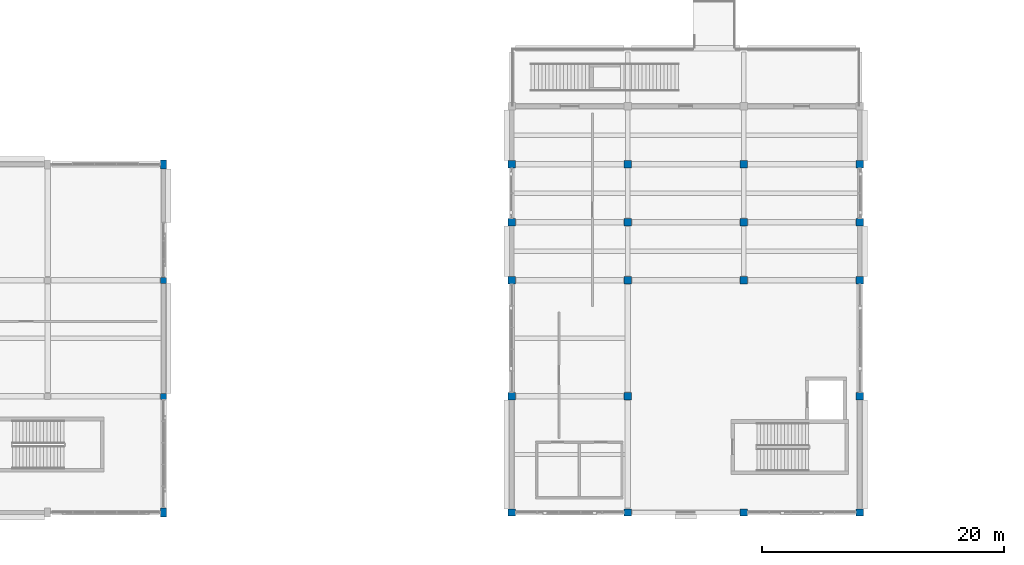
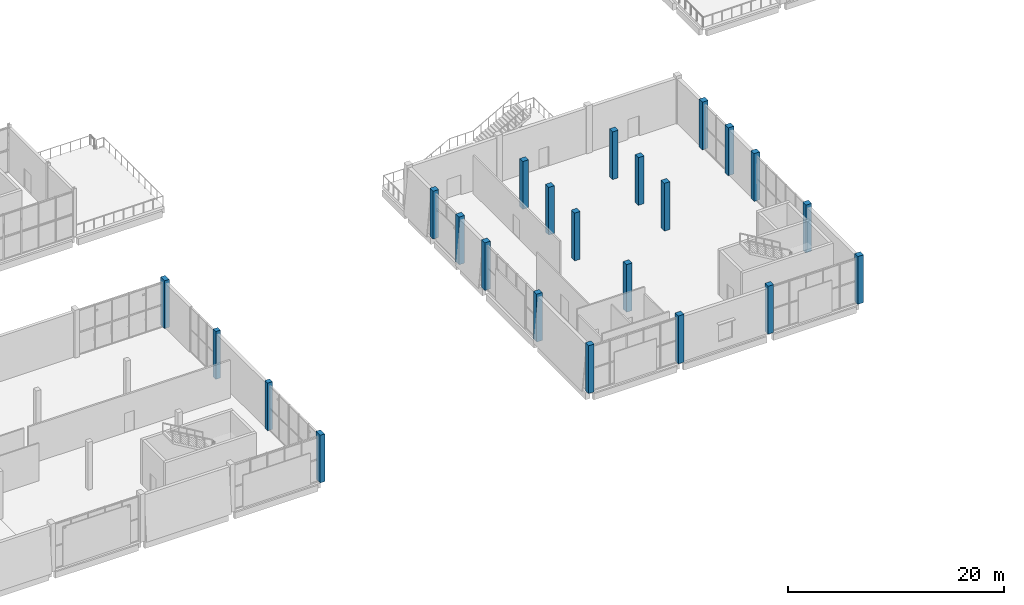
# One storey, part 3 of 83: 23 columns.
"""IFC4 building model written with IfcOpenShell, lengths in metres."""

from ifc_helpers import new_model, si_unit, direction, frame, origin, origin_2d, place, context, subcontext, project, spatial, rectangle, extrude, material, material_profile, profile_set, type_object, element, save


model = new_model("IFC4")

# Units and contexts
model_context = context("Model", 3, precision=1e-05, world=origin(), true_north=direction((0.0, 1.0)))
body_context = subcontext(model_context, "Body", "Model", "MODEL_VIEW")
ifc_project = project(units=[si_unit("LENGTHUNIT", "METRE"), si_unit("AREAUNIT", "SQUARE_METRE"), si_unit("VOLUMEUNIT", "CUBIC_METRE"), si_unit("PLANEANGLEUNIT", "RADIAN"), si_unit("MASSUNIT", "GRAM", prefix="KILO")], contexts=[model_context])

# Site, building, storey
site_placement = place(None, origin())
site = spatial("IfcSite", under=ifc_project, at=site_placement, CompositionType="ELEMENT")
building_placement = place(site_placement, origin())
building = spatial("IfcBuilding", under=site, at=building_placement, Name="Shalvenor Court Art Gallery", CompositionType="ELEMENT")
storey_placement = place(building_placement, frame((0.0, 0.0, 6.0)))
storey = spatial("IfcBuildingStorey", under=building, at=storey_placement, Name="L01", CompositionType="ELEMENT", Elevation=6.0)

# Columns
ifc_material_1 = material(Name="Concrete C40/50", Category="concrete")
ifc_material_profile_1 = material_profile(ifc_material_1, rectangle(XDim=0.60009765625, YDim=0.60009765625, at=origin_2d()), Name="RC 600x600")
ifc_profile_set_1 = profile_set([ifc_material_profile_1], Name="Concrete C40/50")
column_type_1 = type_object("IfcColumnType", Name="C-03", PredefinedType="COLUMN", material=ifc_profile_set_1)
for number, where, z_axis, x_axis, name in (
    (1, (105.60009765625, 9.60009765625, 0.0), (0.0, 0.0, 1.0), (1.0, 0.0, 0.0), "L01 Column COL-L01-C-03-0397"),
    (2, (105.60009765625, 19.199951171875, 0.0), (0.0, 0.0, 1.0), (1.0, 0.0, 0.0), "L01 Column COL-L01-C-03-0403"),
    (3, (105.60009765625, 24.0, 0.0), (0.0, 0.0, 1.0), (1.0, 0.0, 0.0), "L01 Column COL-L01-C-03-0409"),
    (4, (105.60009765625, 28.800048828125, 0.0), (0.0, 0.0, 1.0), (1.0, 0.0, 0.0), "L01 Column COL-L01-C-03-0414"),
    (5, (115.199951171875, 19.199951171875, 0.0), (0.0, 0.0, 1.0), (1.0, 0.0, 0.0), "L01 Column COL-L01-C-03-0453"),
    (6, (115.199951171875, 24.0, 0.0), (0.0, 0.0, 1.0), (1.0, 0.0, 0.0), "L01 Column COL-L01-C-03-0459"),
    (7, (115.199951171875, 28.800048828125, 0.0), (0.0, 0.0, 1.0), (1.0, 0.0, 0.0), "L01 Column COL-L01-C-03-0464"),
):
    element("IfcColumn", number, at=place(storey_placement, frame(where, z_axis=z_axis, x_axis=x_axis)), inside=storey, type_object=column_type_1, Name=name, PredefinedType="COLUMN", context=body_context, shape_type="SweptSolid", body=[
        extrude(rectangle(XDim=0.60009765625, YDim=0.60009765625, at=origin_2d()), origin(), (0.0, 0.0, 1.0), 5.39990234375),
    ])
ifc_material_2 = material(Name="Concrete C40/50", Category="concrete")
ifc_material_profile_2 = material_profile(ifc_material_2, rectangle(XDim=0.60009765625, YDim=0.60009765625, at=origin_2d()), Name="RC 600x600")
ifc_profile_set_2 = profile_set([ifc_material_profile_2], Name="Concrete C40/50")
column_type_2 = type_object("IfcColumnType", Name="C-03E", PredefinedType="COLUMN", material=ifc_profile_set_2)
for number, where, z_axis, x_axis, name in (
    (8, (96.0, 0.0, 0.0), (0.0, 0.0, 1.0), (1.0, 0.0, 0.0), "L01 Column COL-L01-C-03E-0340"),
    (9, (96.0, 9.60009765625, 0.0), (0.0, 0.0, 1.0), (1.0, 0.0, 0.0), "L01 Column COL-L01-C-03E-0346"),
    (10, (96.0, 19.199951171875, 0.0), (0.0, 0.0, 1.0), (1.0, 0.0, 0.0), "L01 Column COL-L01-C-03E-0352"),
    (11, (96.0, 24.0, 0.0), (0.0, 0.0, 1.0), (1.0, 0.0, 0.0), "L01 Column COL-L01-C-03E-0358"),
    (12, (96.0, 28.800048828125, 0.0), (0.0, 0.0, 1.0), (1.0, 0.0, 0.0), "L01 Column COL-L01-C-03E-0363"),
    (13, (105.60009765625, 0.0, 0.0), (0.0, 0.0, 1.0), (1.0, 0.0, 0.0), "L01 Column COL-L01-C-03E-0391"),
    (14, (115.199951171875, 0.0, 0.0), (0.0, 0.0, 1.0), (1.0, 0.0, 0.0), "L01 Column COL-L01-C-03E-0447"),
    (15, (124.800048828125, 0.0, 0.0), (0.0, 0.0, 1.0), (1.0, 0.0, 0.0), "L01 Column COL-L01-C-03E-0488"),
    (16, (124.800048828125, 9.60009765625, 0.0), (0.0, 0.0, 1.0), (1.0, 0.0, 0.0), "L01 Column COL-L01-C-03E-0494"),
    (17, (124.800048828125, 19.199951171875, 0.0), (0.0, 0.0, 1.0), (1.0, 0.0, 0.0), "L01 Column COL-L01-C-03E-0500"),
    (18, (124.800048828125, 24.0, 0.0), (0.0, 0.0, 1.0), (1.0, 0.0, 0.0), "L01 Column COL-L01-C-03E-0506"),
    (19, (124.800048828125, 28.800048828125, 0.0), (0.0, 0.0, 1.0), (1.0, 0.0, 0.0), "L01 Column COL-L01-C-03E-0511"),
):
    element("IfcColumn", number, at=place(storey_placement, frame(where, z_axis=z_axis, x_axis=x_axis)), inside=storey, type_object=column_type_2, Name=name, PredefinedType="COLUMN", context=body_context, shape_type="SweptSolid", body=[
        extrude(rectangle(XDim=0.60009765625, YDim=0.60009765625, at=origin_2d()), origin(), (0.0, 0.0, 1.0), 5.39990234375),
    ])
ifc_material_3 = material(Name="Concrete C40/50", Category="concrete")
ifc_material_profile_3 = material_profile(ifc_material_3, rectangle(XDim=0.5, YDim=0.5, at=origin_2d()), Name="RC 500x500")
ifc_profile_set_3 = profile_set([ifc_material_profile_3], Name="Concrete C40/50")
column_type_3 = type_object("IfcColumnType", Name="C-04E", PredefinedType="COLUMN", material=ifc_profile_set_3)
for number, where, z_axis, x_axis, name in (
    (20, (67.199951171875, 9.60009765625, 0.0), (0.0, 0.0, 1.0), (1.0, 0.0, 0.0), "L01 Column COL-L01-C-04E-0261"),
    (21, (67.199951171875, 19.199951171875, 0.0), (0.0, 0.0, 1.0), (1.0, 0.0, 0.0), "L01 Column COL-L01-C-04E-0264"),
):
    element("IfcColumn", number, at=place(storey_placement, frame(where, z_axis=z_axis, x_axis=x_axis)), inside=storey, type_object=column_type_3, Name=name, PredefinedType="COLUMN", context=body_context, shape_type="SweptSolid", body=[
        extrude(rectangle(XDim=0.5, YDim=0.5, at=origin_2d()), origin(), (0.0, 0.0, 1.0), 5.39990234375),
    ])
ifc_material_4 = material(Name="Concrete C40/50", Category="concrete")
ifc_material_profile_4 = material_profile(ifc_material_4, rectangle(XDim=0.5, YDim=0.75, at=origin_2d()), Name="RC 500x750")
ifc_profile_set_4 = profile_set([ifc_material_profile_4], Name="Concrete C40/50")
column_type_4 = type_object("IfcColumnType", Name="C-06E", PredefinedType="COLUMN", material=ifc_profile_set_4)
for number, where, z_axis, x_axis, name in (
    (22, (67.199951171875, 0.0, 0.0), (0.0, 0.0, 1.0), (1.0, 0.0, 0.0), "L01 Column COL-L01-C-06E-0257"),
    (23, (67.199951171875, 28.800048828125, 0.0), (0.0, 0.0, 1.0), (1.0, 0.0, 0.0), "L01 Column COL-L01-C-06E-0267"),
):
    element("IfcColumn", number, at=place(storey_placement, frame(where, z_axis=z_axis, x_axis=x_axis)), inside=storey, type_object=column_type_4, Name=name, PredefinedType="COLUMN", context=body_context, shape_type="SweptSolid", body=[
        extrude(rectangle(XDim=0.5, YDim=0.75, at=origin_2d()), origin(), (0.0, 0.0, 1.0), 5.39990234375),
    ])

save(model, "model.ifc")
